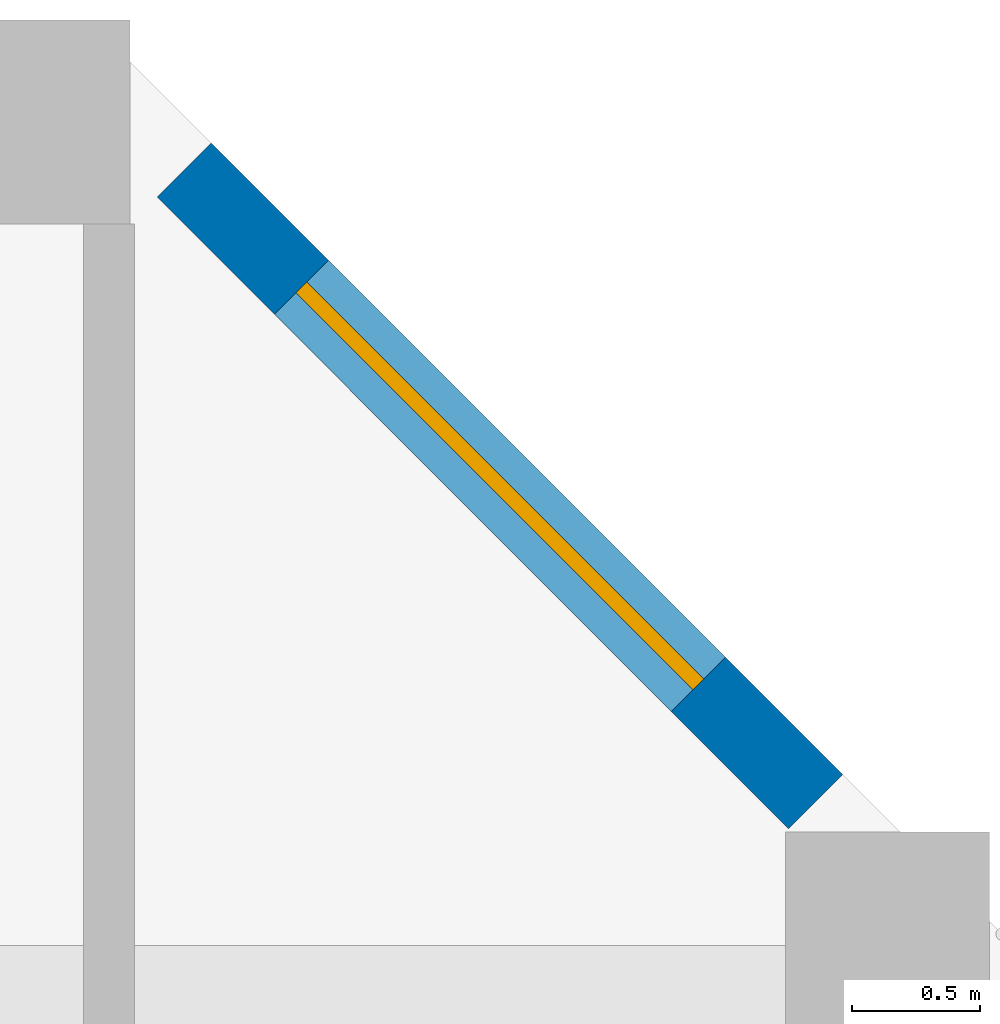
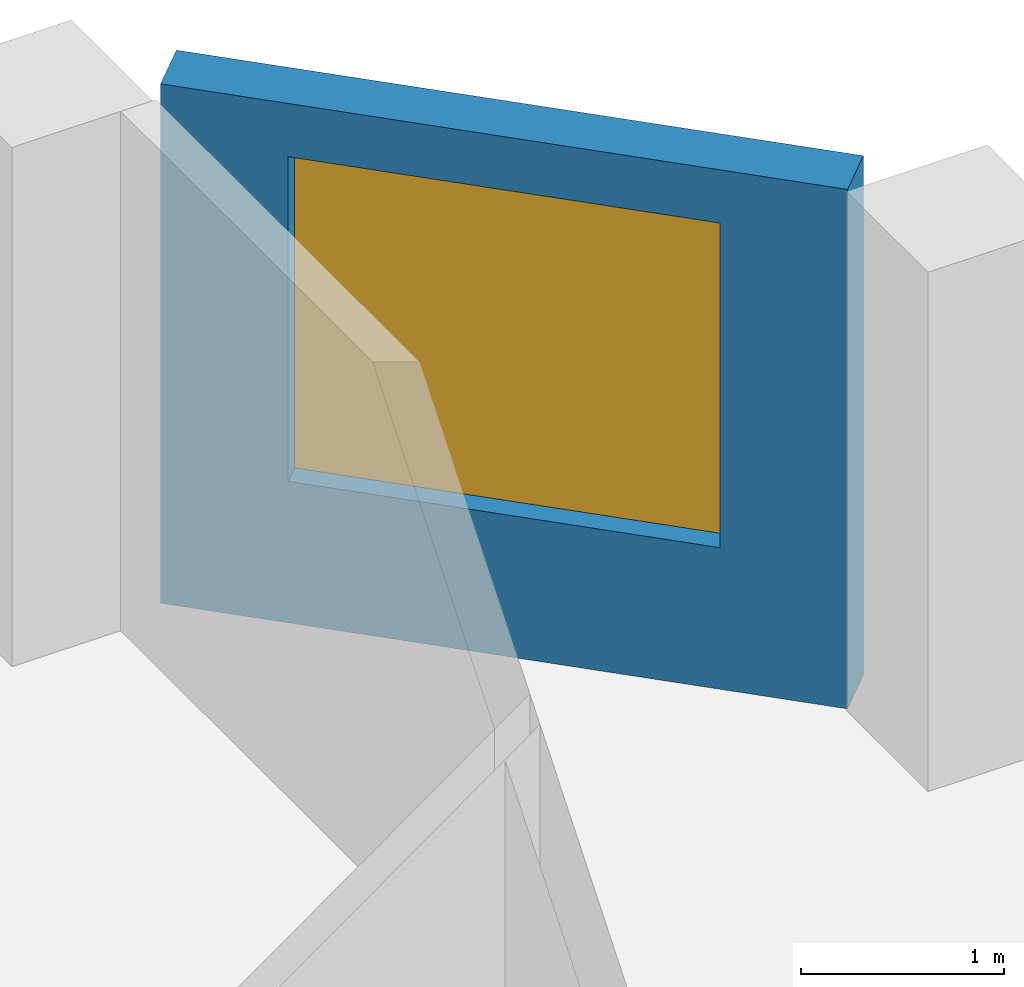
# One storey, part 10 of 22: 1 wall, 1 window, 1 opening.
"""IFC4 building model written with IfcOpenShell, lengths in metres."""

from ifc_helpers import new_model, si_unit, direction, frame, frame_2d, origin, place, context, subcontext, project, spatial, rectangle, extrude, source, transform, mapped, material, layer, layer_set, type_object, element, fill, save


model = new_model("IFC4")

# Units and contexts
model_context = context("Model", 3, precision=1e-05, world=origin(), true_north=direction((0.0, 1.0)))
body_context = subcontext(model_context, "Body", "Model", "MODEL_VIEW")
ifc_project = project(units=[si_unit("LENGTHUNIT", "METRE"), si_unit("AREAUNIT", "SQUARE_METRE"), si_unit("VOLUMEUNIT", "CUBIC_METRE"), si_unit("PLANEANGLEUNIT", "RADIAN"), si_unit("MASSUNIT", "GRAM", prefix="KILO")], contexts=[model_context])

# Site, building, storey
site_placement = place(None, origin())
site = spatial("IfcSite", under=ifc_project, at=site_placement, CompositionType="ELEMENT")
building_placement = place(site_placement, origin())
building = spatial("IfcBuilding", under=site, at=building_placement, Name="Kilnfold Tower and Market Hall", CompositionType="ELEMENT")
storey_placement = place(building_placement, frame((0.0, 0.0, 154.10009765625)))
storey = spatial("IfcBuildingStorey", under=building, at=storey_placement, Name="L35", CompositionType="ELEMENT", Elevation=154.10009765625)

# Wall, opening, window
ifc_material_1 = material(Name="Precast concrete C50/60", Category="concrete")
ifc_layer = layer(ifc_material_1, 0.300048828125)
ifc_layer_set = layer_set([ifc_layer], Name="Precast concrete C50/60")
wall_type = type_object("IfcWallType", Name="PRECAST WALL 300", PredefinedType="SOLIDWALL", material=ifc_layer_set)
shared_shape = source(origin(), body_context, "Body", "SweptSolid", [
    extrude(rectangle(XDim=3.500244140625, YDim=0.300048828125, at=frame_2d((1.75, 0.0))), origin(), (0.0, 0.0, 1.0), 3.119873046875),
])
wall_placement = place(storey_placement, frame((24.518798828125, 28.268798828125, 0.0), z_axis=(0.0, 0.0, 1.0), x_axis=(-0.70707190453, 0.707141656123, 0.0)))
wall = element("IfcWall", 1, at=wall_placement, inside=storey, type_object=wall_type, Name="External wall L35 NE", PredefinedType="SOLIDWALL", context=body_context, shape_type="MappedRepresentation", body=[
    mapped(shared_shape, transform((0.0, 0.0, 0.0))),
])
opening_placement = place(wall_placement, frame((0.650146484375, 0.0, 0.85009765625)))
opening = element("IfcOpeningElement", 2, at=opening_placement, cuts=wall, Name="Opening W2", PredefinedType="OPENING", context=body_context, shape_type="SweptSolid", body=[
    extrude(rectangle(XDim=2.199951171875, YDim=1.949951171875, at=frame_2d((1.10009765625, 0.97509765625))), frame((0.0, 0.16015625, 0.0), z_axis=(0.0, -1.0, 0.0), x_axis=(1.0, 0.0, 0.0)), (0.0, 0.0, 1.0), 0.320068359375),
])
ifc_material_2 = material(Name="Aluminium frame and double glazing", Category="aluminium")
window_type = type_object("IfcWindowType", Name="WINDOW W2 2200X1950", PartitioningType="SINGLE_PANEL", PredefinedType="WINDOW", material=ifc_material_2)
window_placement = place(opening_placement, origin())
window = element("IfcWindow", 3, at=window_placement, inside=storey, type_object=window_type, Name="Window W2 L35 NE-1", OverallHeight=1.949951171875, OverallWidth=2.199951171875, PartitioningType="SINGLE_PANEL", PredefinedType="WINDOW", context=body_context, shape_type="SweptSolid", body=[
    extrude(rectangle(XDim=2.199951171875, YDim=1.949951171875, at=frame_2d((1.10009765625, 0.97509765625))), frame((0.0, 0.030029296875, 0.0), z_axis=(0.0, -1.0, 0.0), x_axis=(1.0, 0.0, 0.0)), (0.0, 0.0, 1.0), 0.06005859375),
])
fill(opening, window)

save(model, "model.ifc")
